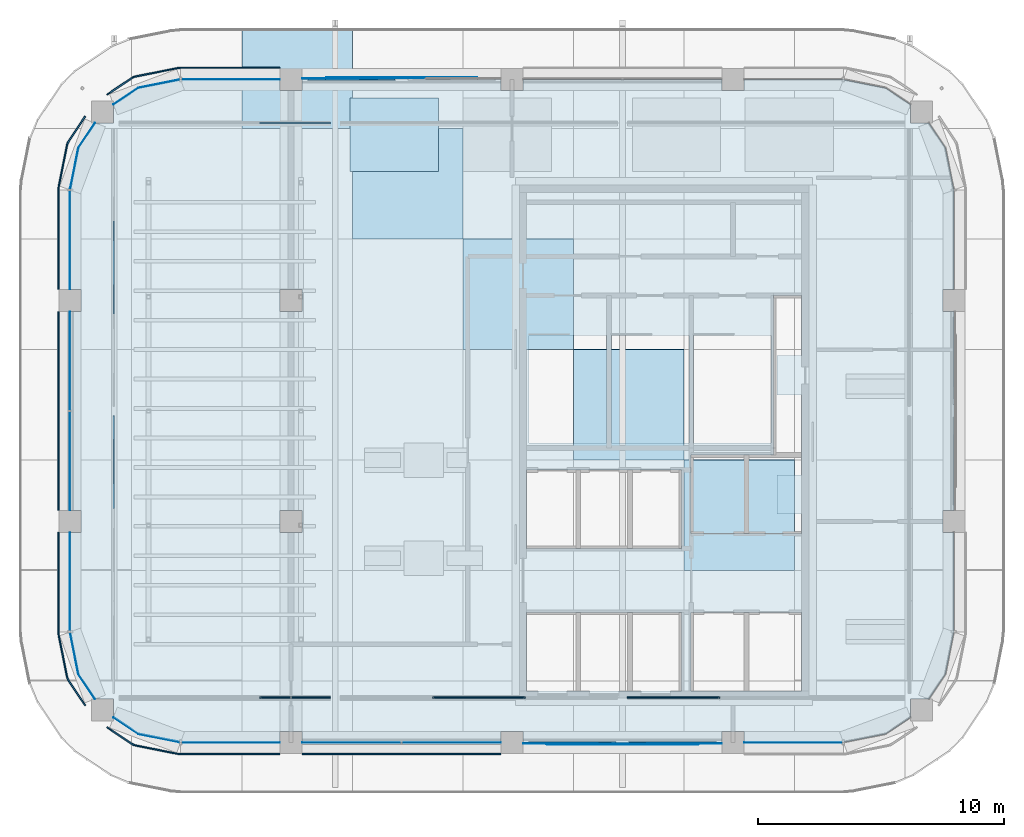
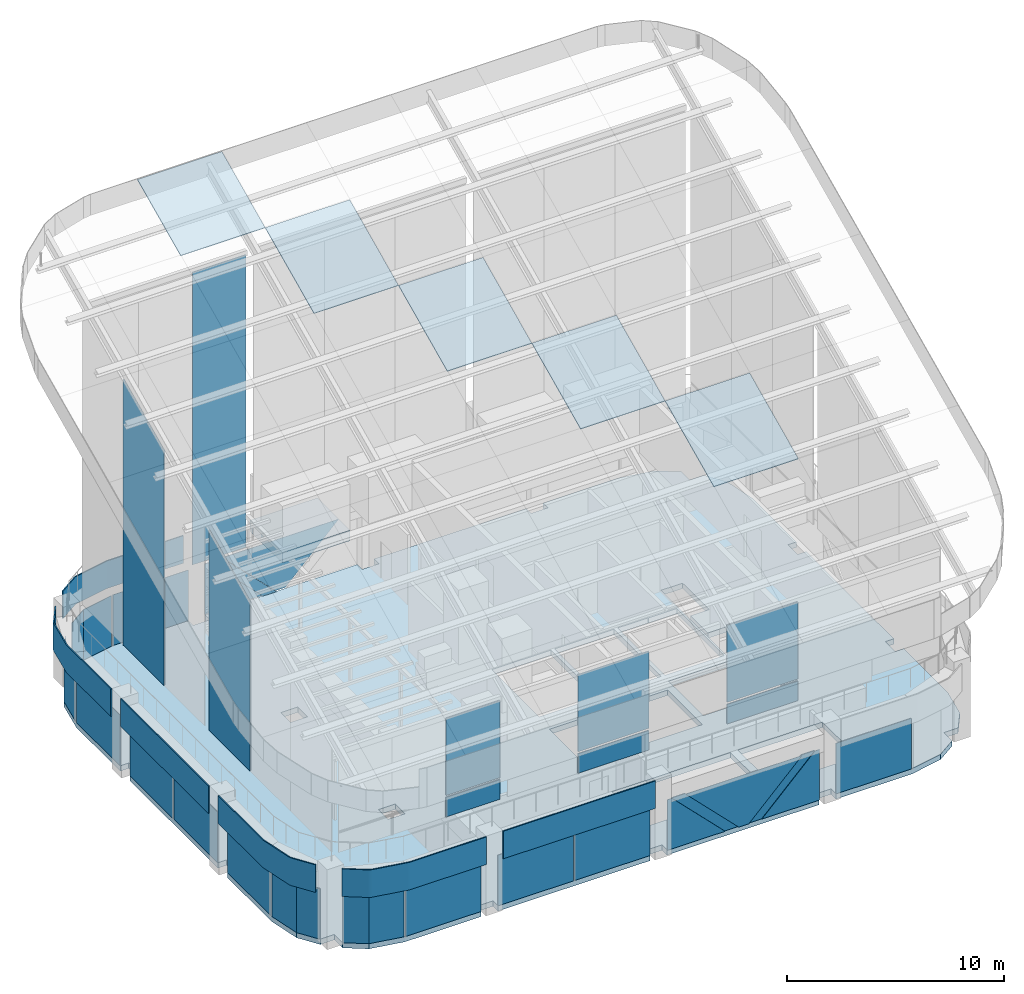
# One storey, part 22 of 31: 41 plates, 2 slabs, 9 elements without a shape of their own.
"""IFC4 building model written with IfcOpenShell, lengths in metres."""

from ifc_helpers import new_model, si_unit, direction, frame, origin, origin_2d, place, context, subcontext, project, spatial, polyline, rectangle, outline, extrude, material, layer, layer_set, type_object, element, aggregate, save


model = new_model("IFC4")

# Units and contexts
model_context = context("Model", 3, precision=1e-05, world=origin(), true_north=direction((0.0, 1.0)))
body_context = subcontext(model_context, "Body", "Model", "MODEL_VIEW")
ifc_project = project(units=[si_unit("LENGTHUNIT", "METRE"), si_unit("AREAUNIT", "SQUARE_METRE"), si_unit("VOLUMEUNIT", "CUBIC_METRE"), si_unit("PLANEANGLEUNIT", "RADIAN"), si_unit("MASSUNIT", "GRAM", prefix="KILO")], contexts=[model_context])

# Site, building, storey
site_placement = place(None, origin())
site = spatial("IfcSite", under=ifc_project, at=site_placement, CompositionType="ELEMENT")
building_placement = place(site_placement, origin())
building = spatial("IfcBuilding", under=site, at=building_placement, Name="Tessera Arch", CompositionType="ELEMENT")
storey_placement = place(building_placement, frame((0.0, 0.0, 320.699951171875)))
storey = spatial("IfcBuildingStorey", under=building, at=storey_placement, Name="L77", CompositionType="ELEMENT", Elevation=320.699951171875)

# Curtain wall, plates
ifc_material_1 = material(Name="CW1 curtain wall")
curtain_wall_type_1 = type_object("IfcCurtainWallType", Name="CW1 curtain wall", PredefinedType="NOTDEFINED", material=ifc_material_1)
curtain_wall_1_placement = place(storey_placement, origin())
curtain_wall_1 = element("IfcCurtainWall", 1, at=curtain_wall_1_placement, inside=storey, type_object=curtain_wall_type_1, Name="CW1 curtain wall W18.27/1 L77", PredefinedType="NOTDEFINED")
ifc_material_2 = material(Name="Clear low-e glass", Category="glass")
ifc_material_3 = material(Name="Clear low-e glass", Category="glass")
ifc_layer_1 = layer(ifc_material_3, 0.028076171875)
ifc_layer_set_1 = layer_set([ifc_layer_1], Name="CW1 glass panel")
plate_type_1 = type_object("IfcPlateType", Name="CW1 glass panel", PredefinedType="CURTAIN_PANEL", material=ifc_layer_set_1)
plate_1_placement = place(storey_placement, frame((18.0, 42.5400390625, 0.0), z_axis=(0.0, 0.0, 1.0), x_axis=(0.0, -1.0, 0.0)))
plate_1 = element("IfcPlate", 2, at=plate_1_placement, type_object=plate_type_1, material=ifc_material_2, Name="CW1 glass panel W18.27/1 1.1.1", PredefinedType="CURTAIN_PANEL", context=body_context, shape_type="SweptSolid", body=[
    extrude(rectangle(XDim=4.02001953125, YDim=0.028076171875, at=origin_2d()), origin(), (0.0, 0.0, 1.0), 2.85009765625),
])
plate_2_placement = place(storey_placement, frame((18.0, 38.4599609375, 0.0), z_axis=(0.0, 0.0, 1.0), x_axis=(0.0, -1.0, 0.0)))
plate_2 = element("IfcPlate", 3, at=plate_2_placement, type_object=plate_type_1, material=ifc_material_2, Name="CW1 glass panel W18.27/1 1.2.1", PredefinedType="CURTAIN_PANEL", context=body_context, shape_type="SweptSolid", body=[
    extrude(rectangle(XDim=4.02001953125, YDim=0.028076171875, at=origin_2d()), origin(), (0.0, 0.0, 1.0), 2.85009765625),
])

curtain_wall_2_placement = place(storey_placement, origin())
curtain_wall_2 = element("IfcCurtainWall", 4, at=curtain_wall_2_placement, inside=storey, type_object=curtain_wall_type_1, Name="CW1 curtain wall S27.18/1 L77", PredefinedType="NOTDEFINED")
plate_3_placement = place(storey_placement, frame((29.4599609375, 27.0, 0.0), z_axis=(0.0, 0.0, 1.0), x_axis=(1.0, 0.0, 0.0)))
plate_3 = element("IfcPlate", 5, at=plate_3_placement, type_object=plate_type_1, material=ifc_material_2, Name="CW1 glass panel S27.18/1 1.1.1", PredefinedType="CURTAIN_PANEL", context=body_context, shape_type="SweptSolid", body=[
    extrude(rectangle(XDim=4.02001953125, YDim=0.028076171875, at=origin_2d()), origin(), (0.0, 0.0, 1.0), 2.85009765625),
])
plate_4_placement = place(storey_placement, frame((33.5400390625, 27.0, 0.0), z_axis=(0.0, 0.0, 1.0), x_axis=(1.0, 0.0, 0.0)))
plate_4 = element("IfcPlate", 6, at=plate_4_placement, type_object=plate_type_1, material=ifc_material_2, Name="CW1 glass panel S27.18/1 1.2.1", PredefinedType="CURTAIN_PANEL", context=body_context, shape_type="SweptSolid", body=[
    extrude(rectangle(XDim=4.02001953125, YDim=0.028076171875, at=origin_2d()), origin(), (0.0, 0.0, 1.0), 2.85009765625),
])

# Plate
ifc_material_4 = material(Name="Pale anodised aluminium panel", Category="aluminium")
ifc_layer_2 = layer(ifc_material_4, 0.06005859375)
ifc_layer_set_2 = layer_set([ifc_layer_2], Name="CW1 spandrel panel")
plate_type_2 = type_object("IfcPlateType", Name="CW1 spandrel panel", PredefinedType="CURTAIN_PANEL", material=ifc_layer_set_2)
plate_5_placement = place(storey_placement, frame((17.52001953125, 40.5, 2.9501953125), z_axis=(0.0, 0.0, 1.0), x_axis=(0.0, -1.0, 0.0)))
plate_5 = element("IfcPlate", 7, at=plate_5_placement, type_object=plate_type_2, Name="CW1 spandrel panel W18.27/1", PredefinedType="CURTAIN_PANEL", context=body_context, shape_type="SweptSolid", body=[
    extrude(rectangle(XDim=8.10009765625, YDim=0.06005859375, at=origin_2d()), origin(), (0.0, 0.0, 1.0), 1.550048828125),
])

aggregate(curtain_wall_1, [plate_1, plate_2, plate_5])

plate_6_placement = place(storey_placement, frame((31.5, 26.52001953125, 2.9501953125), z_axis=(0.0, 0.0, 1.0), x_axis=(1.0, 0.0, 0.0)))
plate_6 = element("IfcPlate", 8, at=plate_6_placement, type_object=plate_type_2, Name="CW1 spandrel panel S27.18/1", PredefinedType="CURTAIN_PANEL", context=body_context, shape_type="SweptSolid", body=[
    extrude(rectangle(XDim=8.10009765625, YDim=0.06005859375, at=origin_2d()), origin(), (0.0, 0.0, 1.0), 1.550048828125),
])

aggregate(curtain_wall_2, [plate_3, plate_4, plate_6])

# Curtain wall, plates
ifc_material_5 = material(Name="CW2 curtain wall")
curtain_wall_type_2 = type_object("IfcCurtainWallType", Name="CW2 curtain wall", PredefinedType="NOTDEFINED", material=ifc_material_5)
curtain_wall_3_placement = place(storey_placement, origin())
curtain_wall_3 = element("IfcCurtainWall", 9, at=curtain_wall_3_placement, inside=storey, type_object=curtain_wall_type_2, Name="CW2 curtain wall N54.18/3 L77", PredefinedType="NOTDEFINED")
ifc_material_6 = material(Name="Clear low-e glass", Category="glass")
ifc_layer_3 = layer(ifc_material_6, 0.028076171875)
ifc_layer_set_3 = layer_set([ifc_layer_3], Name="CW2 glass panel")
plate_type_3 = type_object("IfcPlateType", Name="CW2 glass panel", PredefinedType="CURTAIN_PANEL", material=ifc_layer_set_3)
plate_7_placement = place(storey_placement, frame((24.544921875, 54.0, 0.0), z_axis=(0.0, 0.0, 1.0), x_axis=(-1.0, 0.0, 0.0)))
plate_7 = element("IfcPlate", 10, at=plate_7_placement, type_object=plate_type_3, material=ifc_material_2, Name="CW2 glass panel N54.18/3 1.1", PredefinedType="CURTAIN_PANEL", context=body_context, shape_type="SweptSolid", body=[
    extrude(rectangle(XDim=4.010009765625, YDim=0.028076171875, at=origin_2d()), origin(), (0.0, 0.0, 1.0), 2.85009765625),
])
plate_8_placement = place(storey_placement, origin())
plate_8 = element("IfcPlate", 11, at=plate_8_placement, type_object=plate_type_3, material=ifc_material_2, Name="CW2 curved glass panel N54.18/3 2.1", PredefinedType="CURTAIN_PANEL", context=body_context, shape_type="SweptSolid", body=[
    extrude(outline(polyline([(20.783447265625, 53.644287109375), (22.46337890625, 53.978515625), (22.4580078125, 54.005859375), (20.7724609375, 53.670654296875), (19.76025390625, 52.994384765625), (19.77587890625, 52.970947265625), (20.783447265625, 53.644287109375)])), origin(), (0.0, 0.0, 1.0), 2.85009765625),
])

curtain_wall_4_placement = place(storey_placement, origin())
curtain_wall_4 = element("IfcCurtainWall", 12, at=curtain_wall_4_placement, inside=storey, type_object=curtain_wall_type_2, Name="CW2 curtain wall W18.27/0 L77", PredefinedType="NOTDEFINED")
plate_9_placement = place(storey_placement, frame((18.0, 47.455078125, 0.0), z_axis=(0.0, 0.0, 1.0), x_axis=(0.0, -1.0, 0.0)))
plate_9 = element("IfcPlate", 13, at=plate_9_placement, type_object=plate_type_3, material=ifc_material_2, Name="CW2 glass panel W18.27/0 1.1", PredefinedType="CURTAIN_PANEL", context=body_context, shape_type="SweptSolid", body=[
    extrude(rectangle(XDim=4.010009765625, YDim=0.028076171875, at=origin_2d()), origin(), (0.0, 0.0, 1.0), 2.85009765625),
])
plate_10_placement = place(storey_placement, origin())
plate_10 = element("IfcPlate", 14, at=plate_10_placement, type_object=plate_type_3, material=ifc_material_2, Name="CW2 curved glass panel W18.27/0 2.1", PredefinedType="CURTAIN_PANEL", context=body_context, shape_type="SweptSolid", body=[
    extrude(outline(polyline([(18.355712890625, 51.216552734375), (19.029052734375, 52.22412109375), (19.005615234375, 52.23974609375), (18.329345703125, 51.2275390625), (17.994140625, 49.5419921875), (18.021484375, 49.53662109375), (18.355712890625, 51.216552734375)])), origin(), (0.0, 0.0, 1.0), 2.85009765625),
])

curtain_wall_5_placement = place(storey_placement, origin())
curtain_wall_5 = element("IfcCurtainWall", 15, at=curtain_wall_5_placement, inside=storey, type_object=curtain_wall_type_2, Name="CW2 curtain wall W18.27/2 L77", PredefinedType="NOTDEFINED")
plate_11_placement = place(storey_placement, frame((18.0, 33.544921875, 0.0), z_axis=(0.0, 0.0, 1.0), x_axis=(0.0, -1.0, 0.0)))
plate_11 = element("IfcPlate", 16, at=plate_11_placement, type_object=plate_type_3, material=ifc_material_2, Name="CW2 glass panel W18.27/2 1.1", PredefinedType="CURTAIN_PANEL", context=body_context, shape_type="SweptSolid", body=[
    extrude(rectangle(XDim=4.010009765625, YDim=0.028076171875, at=origin_2d()), origin(), (0.0, 0.0, 1.0), 2.85009765625),
])
plate_12_placement = place(storey_placement, origin())
plate_12 = element("IfcPlate", 17, at=plate_12_placement, type_object=plate_type_3, material=ifc_material_2, Name="CW2 curved glass panel W18.27/2 2.1", PredefinedType="CURTAIN_PANEL", context=body_context, shape_type="SweptSolid", body=[
    extrude(outline(polyline([(18.355712890625, 29.783447265625), (18.021484375, 31.46337890625), (17.994140625, 31.4580078125), (18.329345703125, 29.7724609375), (19.005615234375, 28.76025390625), (19.029052734375, 28.77587890625), (18.355712890625, 29.783447265625)])), origin(), (0.0, 0.0, 1.0), 2.85009765625),
])

curtain_wall_6_placement = place(storey_placement, origin())
curtain_wall_6 = element("IfcCurtainWall", 18, at=curtain_wall_6_placement, inside=storey, type_object=curtain_wall_type_2, Name="CW2 curtain wall S27.18/0 L77", PredefinedType="NOTDEFINED")
plate_13_placement = place(storey_placement, frame((24.544921875, 27.0, 0.0), z_axis=(0.0, 0.0, 1.0), x_axis=(1.0, 0.0, 0.0)))
plate_13 = element("IfcPlate", 19, at=plate_13_placement, type_object=plate_type_3, material=ifc_material_2, Name="CW2 glass panel S27.18/0 1.1", PredefinedType="CURTAIN_PANEL", context=body_context, shape_type="SweptSolid", body=[
    extrude(rectangle(XDim=4.010009765625, YDim=0.028076171875, at=origin_2d()), origin(), (0.0, 0.0, 1.0), 2.85009765625),
])
plate_14_placement = place(storey_placement, origin())
plate_14 = element("IfcPlate", 20, at=plate_14_placement, type_object=plate_type_3, material=ifc_material_2, Name="CW2 curved glass panel S27.18/0 2.1", PredefinedType="CURTAIN_PANEL", context=body_context, shape_type="SweptSolid", body=[
    extrude(outline(polyline([(20.783447265625, 27.355712890625), (19.77587890625, 28.029052734375), (19.76025390625, 28.005615234375), (20.7724609375, 27.329345703125), (22.4580078125, 26.994140625), (22.46337890625, 27.021484375), (20.783447265625, 27.355712890625)])), origin(), (0.0, 0.0, 1.0), 2.85009765625),
])

# Curtain wall, plate
curtain_wall_7_placement = place(storey_placement, origin())
curtain_wall_7 = element("IfcCurtainWall", 21, at=curtain_wall_7_placement, inside=storey, type_object=curtain_wall_type_2, Name="CW2 curtain wall S27.18/3 L77", PredefinedType="NOTDEFINED")
plate_15_placement = place(storey_placement, frame((47.455078125, 27.0, 0.0), z_axis=(0.0, 0.0, 1.0), x_axis=(1.0, 0.0, 0.0)))
plate_15 = element("IfcPlate", 22, at=plate_15_placement, type_object=plate_type_3, material=ifc_material_2, Name="CW2 glass panel S27.18/3 1.1", PredefinedType="CURTAIN_PANEL", context=body_context, shape_type="SweptSolid", body=[
    extrude(rectangle(XDim=4.010009765625, YDim=0.028076171875, at=origin_2d()), origin(), (0.0, 0.0, 1.0), 2.85009765625),
])
aggregate(curtain_wall_7, [plate_15])

# Plate
ifc_material_7 = material(Name="Pale anodised aluminium panel", Category="aluminium")
ifc_layer_4 = layer(ifc_material_7, 0.06005859375)
ifc_layer_set_4 = layer_set([ifc_layer_4], Name="CW2 spandrel panel")
plate_type_4 = type_object("IfcPlateType", Name="CW2 spandrel panel", PredefinedType="CURTAIN_PANEL", material=ifc_layer_set_4)
plate_16_placement = place(storey_placement, frame((0.0, 0.0, 2.949951171875)))
plate_16 = element("IfcPlate", 23, at=plate_16_placement, type_object=plate_type_4, Name="CW2 spandrel panel N54.18/3", PredefinedType="CURTAIN_PANEL", context=body_context, shape_type="SweptSolid", body=[
    extrude(outline(polyline([(22.500732421875, 54.449951171875), (26.550048828125, 54.449951171875), (26.550048828125, 54.510009765625), (22.499267578125, 54.510009765625), (22.449951171875, 54.507568359375), (22.401123046875, 54.500244140625), (20.677734375, 54.157470703125), (20.6298828125, 54.1455078125), (20.582763671875, 54.128662109375), (20.537353515625, 54.107421875), (20.4951171875, 54.08203125), (19.484619140625, 53.40673828125), (19.51806640625, 53.35693359375), (20.52734375, 54.03125), (20.565673828125, 54.054443359375), (20.605712890625, 54.0732421875), (20.647216796875, 54.088134765625), (20.69091796875, 54.09912109375), (22.411376953125, 54.441162109375), (22.455810546875, 54.44775390625), (22.500732421875, 54.449951171875)])), origin(), (0.0, 0.0, 1.0), 1.550048828125),
])

aggregate(curtain_wall_3, [plate_7, plate_8, plate_16])

plate_17_placement = place(storey_placement, frame((0.0, 0.0, 2.949951171875)))
plate_17 = element("IfcPlate", 24, at=plate_17_placement, type_object=plate_type_4, Name="CW2 spandrel panel W18.27/0", PredefinedType="CURTAIN_PANEL", context=body_context, shape_type="SweptSolid", body=[
    extrude(outline(polyline([(17.96875, 51.47265625), (18.64306640625, 52.48193359375), (18.59326171875, 52.515380859375), (17.91796875, 51.5048828125), (17.892578125, 51.462646484375), (17.871337890625, 51.417236328125), (17.8544921875, 51.3701171875), (17.842529296875, 51.322265625), (17.499755859375, 49.598876953125), (17.492431640625, 49.550048828125), (17.489990234375, 49.500732421875), (17.489990234375, 45.449951171875), (17.550048828125, 45.449951171875), (17.550048828125, 49.499267578125), (17.55224609375, 49.544189453125), (17.558837890625, 49.588623046875), (17.90087890625, 51.30908203125), (17.911865234375, 51.352783203125), (17.9267578125, 51.394287109375), (17.945556640625, 51.434326171875), (17.96875, 51.47265625)])), origin(), (0.0, 0.0, 1.0), 1.550048828125),
])

aggregate(curtain_wall_4, [plate_9, plate_10, plate_17])

plate_18_placement = place(storey_placement, frame((0.0, 0.0, 2.949951171875)))
plate_18 = element("IfcPlate", 25, at=plate_18_placement, type_object=plate_type_4, Name="CW2 spandrel panel W18.27/2", PredefinedType="CURTAIN_PANEL", context=body_context, shape_type="SweptSolid", body=[
    extrude(outline(polyline([(17.550048828125, 31.500732421875), (17.550048828125, 35.550048828125), (17.489990234375, 35.550048828125), (17.489990234375, 31.499267578125), (17.492431640625, 31.449951171875), (17.499755859375, 31.401123046875), (17.842529296875, 29.677734375), (17.8544921875, 29.6298828125), (17.871337890625, 29.582763671875), (17.892578125, 29.537353515625), (17.91796875, 29.4951171875), (18.59326171875, 28.484619140625), (18.64306640625, 28.51806640625), (17.96875, 29.52734375), (17.945556640625, 29.565673828125), (17.9267578125, 29.605712890625), (17.911865234375, 29.647216796875), (17.90087890625, 29.69091796875), (17.558837890625, 31.411376953125), (17.55224609375, 31.455810546875), (17.550048828125, 31.500732421875)])), origin(), (0.0, 0.0, 1.0), 1.550048828125),
])

aggregate(curtain_wall_5, [plate_11, plate_12, plate_18])

plate_19_placement = place(storey_placement, frame((0.0, 0.0, 2.949951171875)))
plate_19 = element("IfcPlate", 26, at=plate_19_placement, type_object=plate_type_4, Name="CW2 spandrel panel S27.18/0", PredefinedType="CURTAIN_PANEL", context=body_context, shape_type="SweptSolid", body=[
    extrude(outline(polyline([(20.52734375, 26.96875), (19.51806640625, 27.64306640625), (19.484619140625, 27.59326171875), (20.4951171875, 26.91796875), (20.537353515625, 26.892578125), (20.582763671875, 26.871337890625), (20.6298828125, 26.8544921875), (20.677734375, 26.842529296875), (22.401123046875, 26.499755859375), (22.449951171875, 26.492431640625), (22.499267578125, 26.489990234375), (26.550048828125, 26.489990234375), (26.550048828125, 26.550048828125), (22.500732421875, 26.550048828125), (22.455810546875, 26.55224609375), (22.411376953125, 26.558837890625), (20.69091796875, 26.90087890625), (20.647216796875, 26.911865234375), (20.605712890625, 26.9267578125), (20.565673828125, 26.945556640625), (20.52734375, 26.96875)])), origin(), (0.0, 0.0, 1.0), 1.550048828125),
])

aggregate(curtain_wall_6, [plate_13, plate_14, plate_19])

# Curtain wall, plate
ifc_material_8 = material(Name="CW3 curtain wall")
curtain_wall_type_3 = type_object("IfcCurtainWallType", Name="CW3 curtain wall", PredefinedType="NOTDEFINED", material=ifc_material_8)
curtain_wall_8_placement = place(storey_placement, origin())
curtain_wall_8 = element("IfcCurtainWall", 27, at=curtain_wall_8_placement, inside=storey, type_object=curtain_wall_type_3, Name="CW3 curtain wall N54.18/2 L77", PredefinedType="NOTDEFINED")
ifc_material_9 = material(Name="Pale anodised aluminium panel", Category="aluminium")
ifc_layer_5 = layer(ifc_material_9, 0.06005859375)
ifc_layer_set_5 = layer_set([ifc_layer_5], Name="CW3 diagonal panel")
plate_type_5 = type_object("IfcPlateType", Name="CW3 diagonal panel", PredefinedType="CURTAIN_PANEL", material=ifc_layer_set_5)
plate_20_placement = place(storey_placement, frame((27.6904296875, 54.030029296875, 2.85009765625), z_axis=(0.0, 1.0, 0.0), x_axis=(1.0, 0.0, 0.0)))
plate_20 = element("IfcPlate", 28, at=plate_20_placement, type_object=plate_type_5, Name="CW3 diagonal panel N54.18/2 1", PredefinedType="CURTAIN_PANEL", context=body_context, shape_type="SweptSolid", body=[
    extrude(outline(polyline([(0.0, 0.0), (0.7119140625, 0.0), (3.54443359375, 2.85009765625), (2.83251953125, 2.85009765625), (0.0, 0.0)])), origin(), (0.0, 0.0, -1.0), 0.06005859375),
])

# Curtain wall, plates
curtain_wall_9_placement = place(storey_placement, origin())
curtain_wall_9 = element("IfcCurtainWall", 29, at=curtain_wall_9_placement, inside=storey, type_object=curtain_wall_type_3, Name="CW3 curtain wall S27.18/2 L77", PredefinedType="NOTDEFINED")
plate_21_placement = place(storey_placement, frame((44.3095703125, 26.969970703125, 2.85009765625), z_axis=(0.0, -1.0, 0.0), x_axis=(-1.0, 0.0, 0.0)))
plate_21 = element("IfcPlate", 30, at=plate_21_placement, type_object=plate_type_5, Name="CW3 diagonal panel S27.18/2 1", PredefinedType="CURTAIN_PANEL", context=body_context, shape_type="SweptSolid", body=[
    extrude(outline(polyline([(0.0, 0.0), (0.7119140625, 0.0), (3.54443359375, 2.85009765625), (2.83251953125, 2.85009765625), (0.0, 0.0)])), origin(), (0.0, 0.0, -1.0), 0.06005859375),
])
plate_22_placement = place(storey_placement, frame((37.40234375, 26.969970703125, 2.85009765625), z_axis=(0.0, -1.0, 0.0), x_axis=(-1.0, 0.0, 0.0)))
plate_22 = element("IfcPlate", 31, at=plate_22_placement, type_object=plate_type_5, Name="CW3 diagonal panel S27.18/2 2", PredefinedType="CURTAIN_PANEL", context=body_context, shape_type="SweptSolid", body=[
    extrude(outline(polyline([(0.0, 0.0), (0.7119140625, 0.0), (-2.12060546875, 2.85009765625), (-2.83251953125, 2.85009765625), (0.0, 0.0)])), origin(), (0.0, 0.0, -1.0), 0.06005859375),
])

# Plate
ifc_material_10 = material(Name="Clear low-e glass", Category="glass")
ifc_layer_6 = layer(ifc_material_10, 0.028076171875)
ifc_layer_set_6 = layer_set([ifc_layer_6], Name="CW3 glass panel")
plate_type_6 = type_object("IfcPlateType", Name="CW3 glass panel", PredefinedType="CURTAIN_PANEL", material=ifc_layer_set_6)
plate_23_placement = place(storey_placement, frame((28.40234375, 54.0859375, 2.85009765625), z_axis=(0.0, 1.0, 0.0), x_axis=(1.0, 0.0, 0.0)))
plate_23 = element("IfcPlate", 32, at=plate_23_placement, type_object=plate_type_6, material=ifc_material_2, Name="CW3 triangulated glass panel N54.18/2 2", PredefinedType="CURTAIN_PANEL", context=body_context, shape_type="SweptSolid", body=[
    extrude(outline(polyline([(0.0, 0.0), (6.1953125, 0.0), (3.36279296875, 2.85009765625), (2.83251953125, 2.85009765625), (0.0, 0.0)])), origin(), (0.0, 0.0, -1.0), 0.028076171875),
])

plate_24_placement = place(storey_placement, frame((27.449951171875, 54.05810546875, 2.85009765625), z_axis=(0.0, 1.0, 0.0), x_axis=(1.0, 0.0, 0.0)))
plate_24 = element("IfcPlate", 33, at=plate_24_placement, type_object=plate_type_6, material=ifc_material_2, Name="CW3 triangulated glass panel N54.18/2 3", PredefinedType="CURTAIN_PANEL", context=body_context, shape_type="SweptSolid", body=[
    extrude(outline(polyline([(0.0, 0.0), (0.240478515625, 0.0), (3.072998046875, 2.85009765625), (0.0, 2.85009765625), (0.0, 0.0)])), origin(), (0.0, 0.0, -1.0), 0.028076171875),
])

aggregate(curtain_wall_8, [plate_23, plate_24, plate_20])

plate_25_placement = place(storey_placement, frame((36.449951171875, 26.94189453125, 0.0), z_axis=(0.0, -1.0, 0.0), x_axis=(1.0, 0.0, 0.0)))
plate_25 = element("IfcPlate", 34, at=plate_25_placement, type_object=plate_type_6, material=ifc_material_2, Name="CW3 triangulated glass panel S27.18/2 1", PredefinedType="CURTAIN_PANEL", context=body_context, shape_type="SweptSolid", body=[
    extrude(outline(polyline([(0.0, 0.0), (3.072998046875, 0.0), (0.240478515625, 2.85009765625), (0.0, 2.85009765625), (0.0, 0.0)])), origin(), (0.0, 0.0, -1.0), 0.028076171875),
])

plate_26_placement = place(storey_placement, frame((43.59765625, 26.9140625, 2.85009765625), z_axis=(0.0, -1.0, 0.0), x_axis=(-1.0, 0.0, 0.0)))
plate_26 = element("IfcPlate", 35, at=plate_26_placement, type_object=plate_type_6, material=ifc_material_2, Name="CW3 triangulated glass panel S27.18/2 2", PredefinedType="CURTAIN_PANEL", context=body_context, shape_type="SweptSolid", body=[
    extrude(outline(polyline([(0.0, 0.0), (6.1953125, 0.0), (3.36279296875, 2.85009765625), (2.83251953125, 2.85009765625), (0.0, 0.0)])), origin(), (0.0, 0.0, -1.0), 0.028076171875),
])

plate_27_placement = place(storey_placement, frame((44.550048828125, 26.94189453125, 2.85009765625), z_axis=(0.0, -1.0, 0.0), x_axis=(-1.0, 0.0, 0.0)))
plate_27 = element("IfcPlate", 36, at=plate_27_placement, type_object=plate_type_6, material=ifc_material_2, Name="CW3 triangulated glass panel S27.18/2 3", PredefinedType="CURTAIN_PANEL", context=body_context, shape_type="SweptSolid", body=[
    extrude(outline(polyline([(0.0, 0.0), (0.240478515625, 0.0), (3.072998046875, 2.85009765625), (0.0, 2.85009765625), (0.0, 0.0)])), origin(), (0.0, 0.0, -1.0), 0.028076171875),
])

aggregate(curtain_wall_9, [plate_25, plate_26, plate_27, plate_21, plate_22])

# Plates
ifc_material_11 = material(Name="Clear low-e laminated glass", Category="glass")
ifc_layer_7 = layer(ifc_material_11, 0.0439453125)
ifc_layer_set_7 = layer_set([ifc_layer_7], Name="Canopy panel clear glass")
plate_type_7 = type_object("IfcPlateType", Name="Canopy panel clear glass", PredefinedType="SHEET", material=ifc_layer_set_7)
plate_28_placement = place(storey_placement, frame((25.0, 56.0, 24.1640625), z_axis=(0.0, -0.422618958231, 0.906307462258), x_axis=(0.0, -0.906307462258, -0.422618958231)))
element("IfcPlate", 37, at=plate_28_placement, inside=storey, type_object=plate_type_7, Name="CANOPY panel 3-7", PredefinedType="SHEET", context=body_context, shape_type="SweptSolid", body=[
    extrude(outline(polyline([(0.0, 0.0), (4.413513257449403, 0.0), (4.413513257449403, 4.5), (0.0, 4.5), (0.0, 0.0)])), origin(), (0.0, 0.0, -1.0), 0.0439453125),
])
for number, where, z_axis, x_axis, name in (
    (38, (34.0, 47.5, 20.200439453125), (0.0, -0.422618958231, 0.906307462258), (0.0, 0.906307462258, 0.422618958231), "CANOPY panel 4-6"),
    (39, (38.5, 43.0, 18.10205078125), (0.0, -0.422618958231, 0.906307462258), (0.0, 0.906307462258, 0.422618958231), "CANOPY panel 5-5"),
    (40, (43.0, 38.5, 16.003662109375), (0.0, -0.422618958231, 0.906307462258), (0.0, 0.906307462258, 0.422618958231), "CANOPY panel 6-4"),
    (41, (47.5, 34.0, 13.9052734375), (0.0, -0.422618958231, 0.906307462258), (0.0, 0.906307462258, 0.422618958231), "CANOPY panel 7-3"),
):
    element("IfcPlate", number, at=place(storey_placement, frame(where, z_axis=z_axis, x_axis=x_axis)), inside=storey, type_object=plate_type_7, Name=name, PredefinedType="SHEET", context=body_context, shape_type="SweptSolid", body=[
        extrude(outline(polyline([(0.0, 0.0), (4.965202414630578, 0.0), (4.965202414630578, 4.5), (0.0, 4.5), (0.0, 0.0)])), origin(), (0.0, 0.0, -1.0), 0.0439453125),
    ])
ifc_material_12 = material(Name="Clear low-e laminated glass", Category="glass")
ifc_layer_8 = layer(ifc_material_12, 0.050048828125)
ifc_layer_set_8 = layer_set([ifc_layer_8], Name="Crown glazing panel")
plate_type_8 = type_object("IfcPlateType", Name="Crown glazing panel", PredefinedType="SHEET", material=ifc_layer_set_8)
plate_29_placement = place(storey_placement, frame((25.7333984375, 28.800048828125, 4.5), z_axis=(0.0, -1.0, 0.0), x_axis=(1.0, 0.0, 0.0)))
element("IfcPlate", 42, at=plate_29_placement, inside=storey, type_object=plate_type_8, Name="CROWN screen S1-3", PredefinedType="SHEET", context=body_context, shape_type="SweptSolid", body=[
    extrude(outline(polyline([(0.0, 0.0), (2.86669921875, 0.0), (2.86669921875, 1.10009765625), (0.0, 1.10009765625), (0.0, 0.0)])), origin(), (0.0, 0.0, -1.0), 0.050048828125),
])
plate_30_placement = place(storey_placement, frame((25.7333984375, 28.800048828125, 5.714111328125), z_axis=(0.0, -1.0, 0.0), x_axis=(1.0, 0.0, 0.0)))
element("IfcPlate", 43, at=plate_30_placement, inside=storey, type_object=plate_type_8, Name="CROWN screen S1-3 head", PredefinedType="SHEET", context=body_context, shape_type="SweptSolid", body=[
    extrude(outline(polyline([(0.0, 0.0), (2.86669921875, 0.0), (2.86669921875, 4.341796875), (0.0, 4.341796875), (0.0, 0.0)])), origin(), (0.0, 0.0, -1.0), 0.050048828125),
])
plate_31_placement = place(storey_placement, frame((32.7666015625, 28.800048828125, 4.5), z_axis=(0.0, -1.0, 0.0), x_axis=(1.0, 0.0, 0.0)))
element("IfcPlate", 44, at=plate_31_placement, inside=storey, type_object=plate_type_8, Name="CROWN screen S2-2", PredefinedType="SHEET", context=body_context, shape_type="SweptSolid", body=[
    extrude(outline(polyline([(0.0, 0.0), (3.7666015625, 0.0), (3.7666015625, 1.10009765625), (0.0, 1.10009765625), (0.0, 0.0)])), origin(), (0.0, 0.0, -1.0), 0.050048828125),
])
plate_32_placement = place(storey_placement, frame((32.7666015625, 28.800048828125, 5.714111328125), z_axis=(0.0, -1.0, 0.0), x_axis=(1.0, 0.0, 0.0)))
element("IfcPlate", 45, at=plate_32_placement, inside=storey, type_object=plate_type_8, Name="CROWN screen S2-2 head", PredefinedType="SHEET", context=body_context, shape_type="SweptSolid", body=[
    extrude(outline(polyline([(0.0, 0.0), (3.7666015625, 0.0), (3.7666015625, 4.341796875), (0.0, 4.341796875), (0.0, 0.0)])), origin(), (0.0, 0.0, -1.0), 0.050048828125),
])
plate_33_placement = place(storey_placement, frame((40.699951171875, 28.800048828125, 4.5), z_axis=(0.0, -1.0, 0.0), x_axis=(1.0, 0.0, 0.0)))
element("IfcPlate", 46, at=plate_33_placement, inside=storey, type_object=plate_type_8, Name="CROWN screen S3-1", PredefinedType="SHEET", context=body_context, shape_type="SweptSolid", body=[
    extrude(outline(polyline([(0.0, 0.0), (3.766845703125, 0.0), (3.766845703125, 1.10009765625), (0.0, 1.10009765625), (0.0, 0.0)])), origin(), (0.0, 0.0, -1.0), 0.050048828125),
])
plate_34_placement = place(storey_placement, frame((40.699951171875, 28.800048828125, 5.714111328125), z_axis=(0.0, -1.0, 0.0), x_axis=(1.0, 0.0, 0.0)))
element("IfcPlate", 47, at=plate_34_placement, inside=storey, type_object=plate_type_8, Name="CROWN screen S3-1 head", PredefinedType="SHEET", context=body_context, shape_type="SweptSolid", body=[
    extrude(outline(polyline([(0.0, 0.0), (3.766845703125, 0.0), (3.766845703125, 4.341796875), (0.0, 4.341796875), (0.0, 0.0)])), origin(), (0.0, 0.0, -1.0), 0.050048828125),
])
plate_35_placement = place(storey_placement, frame((25.7333984375, 52.199951171875, 4.5), z_axis=(0.0, -1.0, 0.0), x_axis=(1.0, 0.0, 0.0)))
element("IfcPlate", 48, at=plate_35_placement, inside=storey, type_object=plate_type_8, Name="CROWN screen N4-3", PredefinedType="SHEET", context=body_context, shape_type="SweptSolid", body=[
    extrude(outline(polyline([(0.0, 0.0), (2.86669921875, 0.0), (2.86669921875, 16.467529296875), (0.0, 16.467529296875), (0.0, 0.0)])), origin(), (0.0, 0.0, -1.0), 0.050048828125),
])
plate_36_placement = place(storey_placement, frame((19.800048828125, 36.533203125, 4.5), z_axis=(1.0, 0.0, 0.0), x_axis=(0.0, 1.0, 0.0)))
element("IfcPlate", 49, at=plate_36_placement, inside=storey, type_object=plate_type_8, Name="CROWN screen W7-3", PredefinedType="SHEET", context=body_context, shape_type="SweptSolid", body=[
    extrude(outline(polyline([(0.0, 0.0), (3.766845703125, 0.0), (3.766845703125, 11.269775390625), (0.0, 9.513427734375), (0.0, 0.0)])), origin(), (0.0, 0.0, -1.0), 0.050048828125),
])
plate_37_placement = place(storey_placement, frame((19.800048828125, 44.466796875, 4.5), z_axis=(1.0, 0.0, 0.0), x_axis=(0.0, 1.0, 0.0)))
element("IfcPlate", 50, at=plate_37_placement, inside=storey, type_object=plate_type_8, Name="CROWN screen W8-2", PredefinedType="SHEET", context=body_context, shape_type="SweptSolid", body=[
    extrude(outline(polyline([(0.0, 0.0), (3.7666015625, 0.0), (3.7666015625, 14.96923828125), (0.0, 13.212646484375), (0.0, 0.0)])), origin(), (0.0, 0.0, -1.0), 0.050048828125),
])

# Slabs
ifc_material_13 = material(Name="Concrete C40/50", Category="concrete")
ifc_layer_9 = layer(ifc_material_13, 0.300048828125)
ifc_layer_set_9 = layer_set([ifc_layer_9], Name="Floor slab 300 Concrete C40/50")
slab_type_1 = type_object("IfcSlabType", Name="Floor slab 300 Concrete C40/50", PredefinedType="FLOOR", material=ifc_layer_set_9)
slab_1_placement = place(storey_placement, frame((0.0, 0.0, -0.300048828125)))
element("IfcSlab", 51, at=slab_1_placement, inside=storey, type_object=slab_type_1, Name="Floor slab L77 1", PredefinedType="FLOOR", context=body_context, shape_type="SweptSolid", body=[
    extrude(outline(polyline([(54.0, 31.5), (53.657470703125, 29.77783203125), (52.982666015625, 28.76806640625), (52.23193359375, 28.76806640625), (52.23193359375, 28.017333984375), (51.22216796875, 27.342529296875), (49.5, 27.0), (45.449951171875, 27.0), (45.449951171875, 27.449951171875), (44.550048828125, 27.449951171875), (44.550048828125, 27.0), (36.449951171875, 27.0), (36.449951171875, 27.449951171875), (35.550048828125, 27.449951171875), (35.550048828125, 27.0), (27.449951171875, 27.0), (27.449951171875, 27.449951171875), (26.550048828125, 27.449951171875), (26.550048828125, 27.0), (22.5, 27.0), (20.77783203125, 27.342529296875), (19.76806640625, 28.017333984375), (19.76806640625, 28.76806640625), (19.017333984375, 28.76806640625), (18.342529296875, 29.77783203125), (18.0, 31.5), (18.0, 35.550048828125), (18.449951171875, 35.550048828125), (18.449951171875, 36.449951171875), (18.0, 36.449951171875), (18.0, 44.550048828125), (18.449951171875, 44.550048828125), (18.449951171875, 45.449951171875), (18.0, 45.449951171875), (18.0, 49.5), (18.342529296875, 51.22216796875), (19.017333984375, 52.23193359375), (19.76806640625, 52.23193359375), (19.76806640625, 52.982666015625), (20.77783203125, 53.657470703125), (22.5, 54.0), (26.550048828125, 54.0), (26.550048828125, 53.550048828125), (27.449951171875, 53.550048828125), (27.449951171875, 54.0), (35.550048828125, 54.0), (35.550048828125, 53.550048828125), (36.449951171875, 53.550048828125), (36.449951171875, 54.0), (44.550048828125, 54.0), (44.550048828125, 53.550048828125), (45.449951171875, 53.550048828125), (45.449951171875, 54.0), (49.5, 54.0), (51.22216796875, 53.657470703125), (52.23193359375, 52.982666015625), (52.23193359375, 52.23193359375), (52.982666015625, 52.23193359375), (53.657470703125, 51.22216796875), (54.0, 49.5), (54.0, 45.449951171875), (53.550048828125, 45.449951171875), (53.550048828125, 44.550048828125), (54.0, 44.550048828125), (54.0, 36.449951171875), (53.550048828125, 36.449951171875), (53.550048828125, 35.550048828125), (54.0, 35.550048828125), (54.0, 31.5)]), holes=[polyline([(40.800048828125, 29.10009765625), (42.89990234375, 29.10009765625), (42.89990234375, 32.300048828125), (40.800048828125, 32.300048828125), (38.699951171875, 32.300048828125), (36.60009765625, 32.300048828125), (36.60009765625, 29.10009765625), (38.699951171875, 29.10009765625), (40.800048828125, 29.10009765625)]), polyline([(27.449951171875, 35.550048828125), (27.449951171875, 36.449951171875), (26.550048828125, 36.449951171875), (26.550048828125, 35.550048828125), (27.449951171875, 35.550048828125)]), polyline([(40.800048828125, 34.89990234375), (42.89990234375, 34.89990234375), (42.89990234375, 38.10009765625), (40.800048828125, 38.10009765625), (38.699951171875, 38.10009765625), (36.60009765625, 38.10009765625), (36.60009765625, 34.89990234375), (38.699951171875, 34.89990234375), (40.800048828125, 34.89990234375)]), polyline([(38.330078125, 43.570068359375), (38.330078125, 43.580078125), (36.699951171875, 43.580078125), (36.699951171875, 39.199951171875), (39.85009765625, 39.199951171875), (39.85009765625, 43.570068359375), (38.330078125, 43.570068359375)]), polyline([(27.449951171875, 44.550048828125), (27.449951171875, 45.449951171875), (26.550048828125, 45.449951171875), (26.550048828125, 44.550048828125), (27.449951171875, 44.550048828125)]), polyline([(47.800048828125, 32.300048828125), (45.550048828125, 32.300048828125), (43.300048828125, 32.300048828125), (43.300048828125, 29.10009765625), (45.550048828125, 29.10009765625), (47.800048828125, 29.10009765625), (47.800048828125, 32.300048828125)]), polyline([(46.64990234375, 38.699951171875), (45.550048828125, 38.699951171875), (43.300048828125, 38.699951171875), (43.300048828125, 35.5), (45.550048828125, 35.5), (47.800048828125, 35.5), (47.800048828125, 36.300048828125), (46.800048828125, 36.300048828125), (46.800048828125, 37.89990234375), (47.800048828125, 37.89990234375), (47.800048828125, 38.699951171875), (47.800048828125, 41.14990234375), (46.800048828125, 41.14990234375), (46.800048828125, 42.75), (47.800048828125, 42.75), (47.800048828125, 45.199951171875), (46.64990234375, 45.199951171875), (46.64990234375, 38.699951171875)]), polyline([(41.679931640625, 43.570068359375), (41.679931640625, 43.580078125), (40.050048828125, 43.580078125), (40.050048828125, 39.199951171875), (43.199951171875, 39.199951171875), (43.199951171875, 43.570068359375), (41.679931640625, 43.570068359375)]), polyline([(45.030029296875, 43.570068359375), (45.030029296875, 43.580078125), (43.39990234375, 43.580078125), (43.39990234375, 39.199951171875), (46.550048828125, 39.199951171875), (46.550048828125, 43.570068359375), (45.030029296875, 43.570068359375)])]), origin(), (0.0, 0.0, 1.0), 0.300048828125),
])
ifc_material_14 = material(Name="Concrete C40/50", Category="concrete")
ifc_layer_10 = layer(ifc_material_14, 0.60009765625)
ifc_layer_set_10 = layer_set([ifc_layer_10], Name="Plant plinth")
slab_type_2 = type_object("IfcSlabType", Name="Plant plinth", PredefinedType="USERDEFINED", material=ifc_layer_set_10)
slab_2_placement = place(storey_placement, frame((0.0, 0.0, 4.5)))
element("IfcSlab", 52, at=slab_2_placement, inside=storey, type_object=slab_type_2, Name="Roof plant plinth 1", ObjectType="PAVING", PredefinedType="USERDEFINED", context=body_context, shape_type="SweptSolid", body=[
    extrude(outline(polyline([(29.39990234375, 50.25), (33.0, 50.25), (33.0, 53.25), (29.39990234375, 53.25), (29.39990234375, 50.25)])), origin(), (0.0, 0.0, 1.0), 0.60009765625),
])

save(model, "model.ifc")
